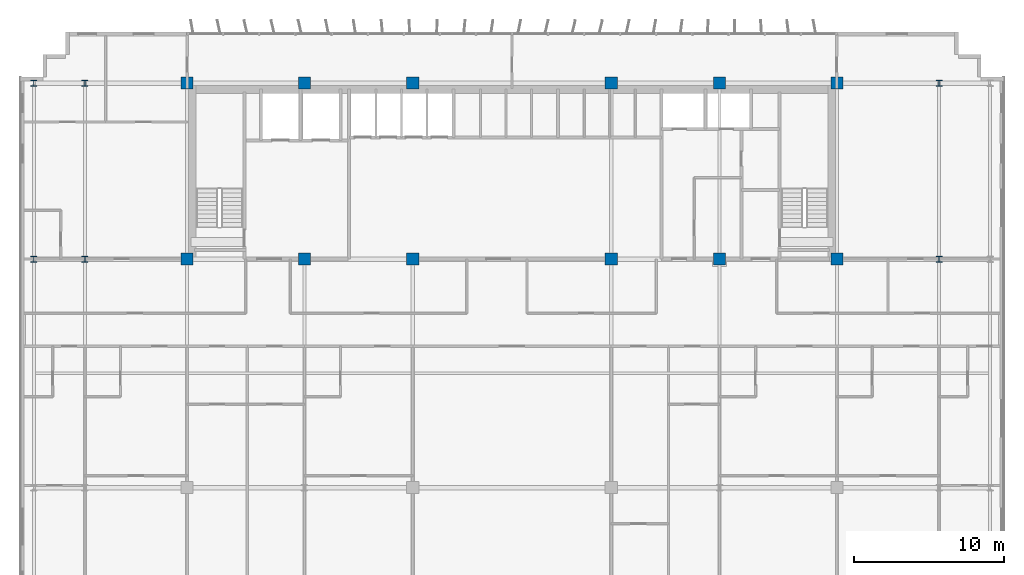
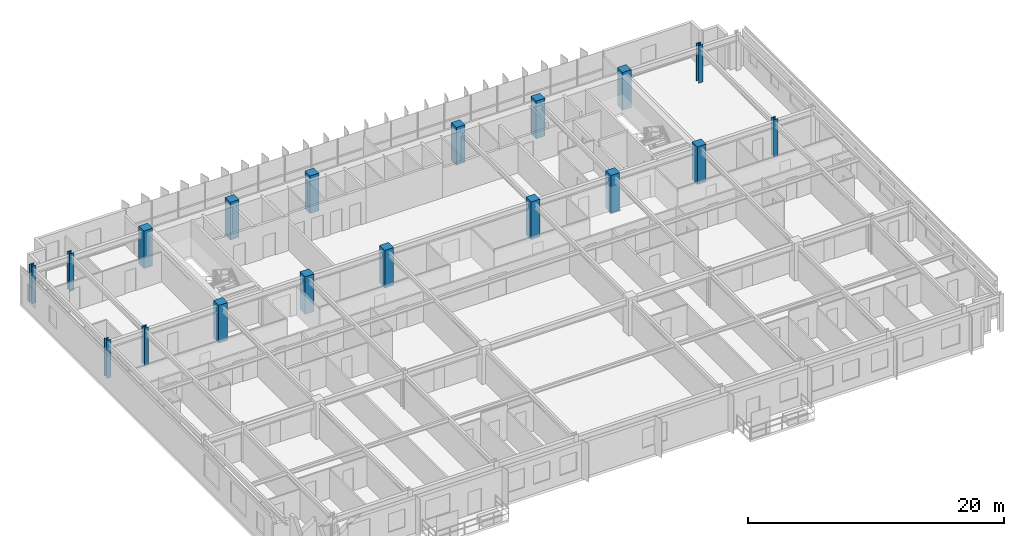
# One storey, part 2 of 22: 18 columns.
"""IFC4 building model written with IfcOpenShell, lengths in metres."""

from ifc_helpers import new_model, si_unit, direction, frame, origin, origin_2d, place, context, subcontext, project, spatial, rectangle, i_section, extrude, source, transform, mapped, material, material_profile, profile_set, type_object, element, save


model = new_model("IFC4")

# Units and contexts
model_context = context("Model", 3, precision=1e-05, world=origin(), true_north=direction((0.0, 1.0)))
body_context = subcontext(model_context, "Body", "Model", "MODEL_VIEW")
ifc_project = project(units=[si_unit("LENGTHUNIT", "METRE"), si_unit("AREAUNIT", "SQUARE_METRE"), si_unit("VOLUMEUNIT", "CUBIC_METRE"), si_unit("PLANEANGLEUNIT", "RADIAN"), si_unit("MASSUNIT", "GRAM", prefix="KILO")], contexts=[model_context])

# Site, building, storey
site_placement = place(None, origin())
site = spatial("IfcSite", under=ifc_project, at=site_placement, CompositionType="ELEMENT")
building_placement = place(site_placement, origin())
building = spatial("IfcBuilding", under=site, at=building_placement, Name="Trelvane Seafront Commons", CompositionType="ELEMENT")
storey_placement = place(building_placement, frame((0.0, 0.0, 92.5)))
storey = spatial("IfcBuildingStorey", under=building, at=storey_placement, Name="L23", CompositionType="ELEMENT", Elevation=92.5)

# Columns
ifc_material_1 = material(Name="Steel SM355 (S355)", Category="steel")
ifc_material_profile_1 = material_profile(ifc_material_1, i_section(OverallWidth=0.39990234375, OverallDepth=0.39990234375, WebThickness=0.02197265625, FlangeThickness=0.034912109375, at=origin_2d()), Name="HD-400x400x22x35")
ifc_profile_set_1 = profile_set([ifc_material_profile_1], Name="Steel SM355 (S355)")
column_type_1 = type_object("IfcColumnType", Name="STR-COL-HD400", PredefinedType="COLUMN", material=ifc_profile_set_1)
shared_shape_1 = source(origin(), body_context, "Body", "SweptSolid", [
    extrude(i_section(OverallWidth=0.39990234375, OverallDepth=0.39990234375, WebThickness=0.02197265625, FlangeThickness=0.034912109375, at=origin_2d()), origin(), (0.0, 0.0, 1.0), 3.60009765625),
])
for number, where, z_axis, x_axis, name in (
    (1, (5.39990234375, 33.39990234375, 0.0), (0.0, 0.0, 1.0), (1.0, 0.0, 0.0), "L23 Column TC-CS5.4"),
    (2, (5.39990234375, 45.10009765625, 0.0), (0.0, 0.0, 1.0), (1.0, 0.0, 0.0), "L23 Column TC-CN5.4"),
    (3, (8.800048828125, 33.39990234375, 0.0), (0.0, 0.0, 1.0), (1.0, 0.0, 0.0), "L23 Column TC-CS8.8"),
    (4, (8.800048828125, 45.10009765625, 0.0), (0.0, 0.0, 1.0), (1.0, 0.0, 0.0), "L23 Column TC-CN8.8"),
    (5, (65.60009765625, 33.39990234375, 0.0), (0.0, 0.0, 1.0), (1.0, 0.0, 0.0), "L23 Column TC-CS65.6"),
    (6, (65.60009765625, 45.10009765625, 0.0), (0.0, 0.0, 1.0), (1.0, 0.0, 0.0), "L23 Column TC-CN65.6"),
):
    element("IfcColumn", number, at=place(storey_placement, frame(where, z_axis=z_axis, x_axis=x_axis)), inside=storey, type_object=column_type_1, Name=name, PredefinedType="COLUMN", context=body_context, shape_type="MappedRepresentation", body=[
        mapped(shared_shape_1, transform((0.0, 0.0, 0.0), x_axis=(1.0, 0.0, 0.0), y_axis=(0.0, 1.0, 0.0), z_axis=(0.0, 0.0, 1.0), scale=1.0)),
    ])
ifc_material_2 = material(Name="Concrete C60/75", Category="concrete")
ifc_material_profile_2 = material_profile(ifc_material_2, rectangle(XDim=0.800048828125, YDim=0.800048828125, at=origin_2d()), Name="RC-800x800")
ifc_profile_set_2 = profile_set([ifc_material_profile_2], Name="Concrete C60/75")
column_type_2 = type_object("IfcColumnType", Name="STR-COL-RC800", PredefinedType="COLUMN", material=ifc_profile_set_2)
shared_shape_2 = source(origin(), body_context, "Body", "SweptSolid", [
    extrude(rectangle(XDim=0.800048828125, YDim=0.800048828125, at=origin_2d()), origin(), (0.0, 0.0, 1.0), 3.60009765625),
])
for number, where, z_axis, x_axis, name in (
    (7, (15.60009765625, 33.39990234375, 0.0), (0.0, 0.0, 1.0), (1.0, 0.0, 0.0), "L23 Column TC-CS15.6"),
    (8, (15.60009765625, 45.10009765625, 0.0), (0.0, 0.0, 1.0), (1.0, 0.0, 0.0), "L23 Column TC-CN15.6"),
    (9, (23.39990234375, 33.39990234375, 0.0), (0.0, 0.0, 1.0), (1.0, 0.0, 0.0), "L23 Column TC-CS23.4"),
    (10, (23.39990234375, 45.10009765625, 0.0), (0.0, 0.0, 1.0), (1.0, 0.0, 0.0), "L23 Column TC-CN23.4"),
    (11, (30.60009765625, 33.39990234375, 0.0), (0.0, 0.0, 1.0), (1.0, 0.0, 0.0), "L23 Column TC-CS30.6"),
    (12, (30.60009765625, 45.10009765625, 0.0), (0.0, 0.0, 1.0), (1.0, 0.0, 0.0), "L23 Column TC-CN30.6"),
    (13, (43.800048828125, 33.39990234375, 0.0), (0.0, 0.0, 1.0), (1.0, 0.0, 0.0), "L23 Column TC-CS43.8"),
    (14, (43.800048828125, 45.10009765625, 0.0), (0.0, 0.0, 1.0), (1.0, 0.0, 0.0), "L23 Column TC-CN43.8"),
    (15, (51.0, 33.39990234375, 0.0), (0.0, 0.0, 1.0), (1.0, 0.0, 0.0), "L23 Column TC-CS51.0"),
    (16, (51.0, 45.10009765625, 0.0), (0.0, 0.0, 1.0), (1.0, 0.0, 0.0), "L23 Column TC-CN51.0"),
    (17, (58.800048828125, 33.39990234375, 0.0), (0.0, 0.0, 1.0), (1.0, 0.0, 0.0), "L23 Column TC-CS58.8"),
    (18, (58.800048828125, 45.10009765625, 0.0), (0.0, 0.0, 1.0), (1.0, 0.0, 0.0), "L23 Column TC-CN58.8"),
):
    element("IfcColumn", number, at=place(storey_placement, frame(where, z_axis=z_axis, x_axis=x_axis)), inside=storey, type_object=column_type_2, Name=name, PredefinedType="COLUMN", context=body_context, shape_type="MappedRepresentation", body=[
        mapped(shared_shape_2, transform((0.0, 0.0, 0.0), x_axis=(1.0, 0.0, 0.0), y_axis=(0.0, 1.0, 0.0), z_axis=(0.0, 0.0, 1.0), scale=1.0)),
    ])

save(model, "model.ifc")
